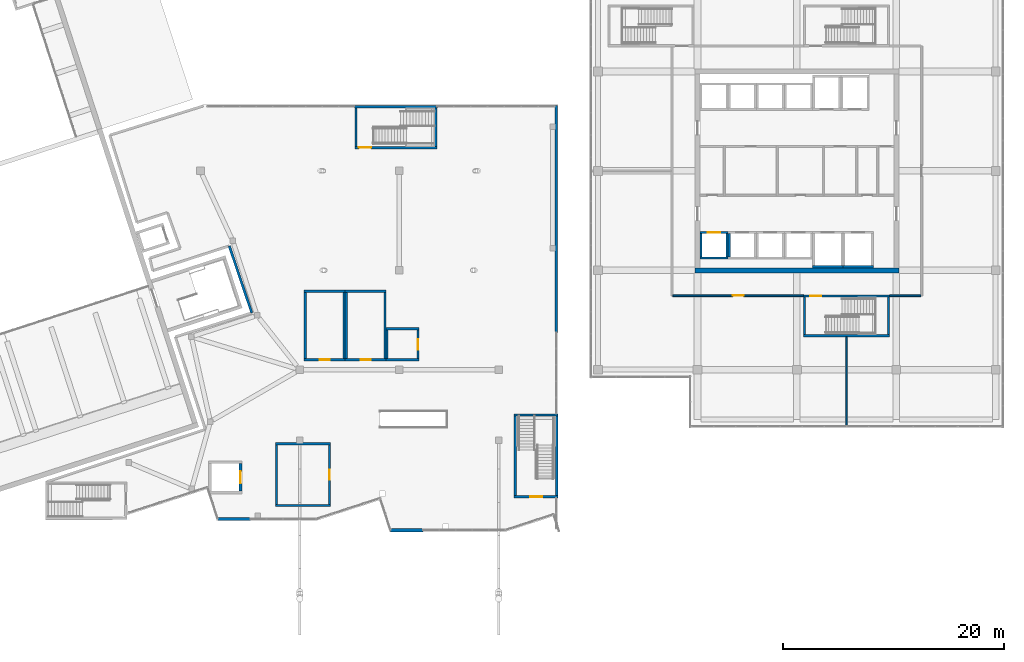
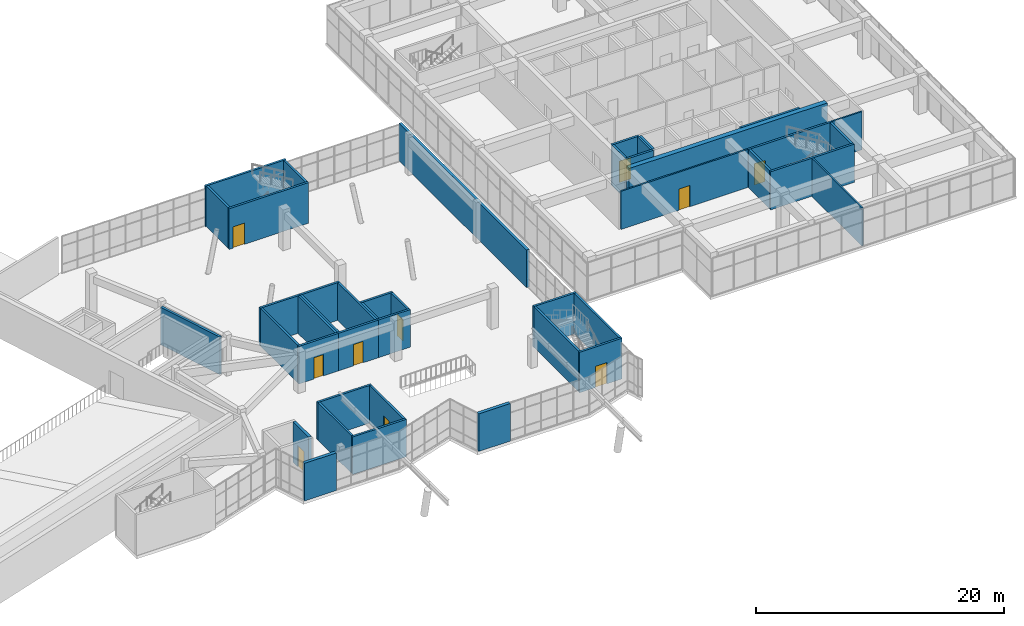
# One storey, part 56 of 65: 44 walls, 10 doors, 10 openings.
"""IFC4 building model written with IfcOpenShell, lengths in metres."""

from ifc_helpers import new_model, si_unit, direction, frame, frame_2d, origin, place, context, subcontext, project, spatial, rectangle, extrude, material, layer, layer_set, type_object, element, fill, save


model = new_model("IFC4")

# Units and contexts
model_context = context("Model", 3, precision=1e-05, world=origin(), true_north=direction((0.0, 1.0)))
body_context = subcontext(model_context, "Body", "Model", "MODEL_VIEW")
ifc_project = project(units=[si_unit("LENGTHUNIT", "METRE"), si_unit("AREAUNIT", "SQUARE_METRE"), si_unit("VOLUMEUNIT", "CUBIC_METRE"), si_unit("PLANEANGLEUNIT", "RADIAN"), si_unit("MASSUNIT", "GRAM", prefix="KILO")], contexts=[model_context])

# Site, building, storey
site_placement = place(None, origin())
site = spatial("IfcSite", under=ifc_project, at=site_placement, CompositionType="ELEMENT")
building_placement = place(site_placement, origin())
building = spatial("IfcBuilding", under=site, at=building_placement, Name="Tuart Plaza Theatre", CompositionType="ELEMENT")
storey_placement = place(building_placement, frame((0.0, 0.0, 9.5)))
storey = spatial("IfcBuildingStorey", under=building, at=storey_placement, Name="L02", CompositionType="ELEMENT", Elevation=9.5)

# Wall, opening, door
ifc_material_1 = material(Name="Masonry block", Category="masonry")
ifc_layer_1 = layer(ifc_material_1, 0.14990234375)
ifc_layer_set_1 = layer_set([ifc_layer_1], Name="PARTITION BLK150 MASONRYB FRL 120/-/-")
wall_type_1 = type_object("IfcWallType", Name="PARTITION BLK150 MASONRYB FRL 120/-/-", PredefinedType="PARTITIONING", material=ifc_layer_set_1)
wall_1_placement = place(storey_placement, frame((132.60009765625, 62.699951171875, 0.0), z_axis=(0.0, 0.0, 1.0), x_axis=(-1.0, 0.0, 0.0)))
wall_1 = element("IfcWall", 1, at=wall_1_placement, inside=storey, type_object=wall_type_1, Name="P600", PredefinedType="PARTITIONING", context=body_context, shape_type="SweptSolid", body=[
    extrude(rectangle(XDim=11.8251953125, YDim=0.14990234375, at=frame_2d((5.91259765625, 0.0))), origin(), (0.0, 0.0, 1.0), 3.75),
])
opening_1_placement = place(wall_1_placement, frame((5.427490234375, 0.0, 0.0)))
opening_1 = element("IfcOpeningElement", 2, at=opening_1_placement, cuts=wall_1, Name="Opening L02-059", PredefinedType="OPENING", context=body_context, shape_type="SweptSolid", body=[
    extrude(rectangle(XDim=1.0, YDim=2.10009765625, at=frame_2d((0.5, 1.050048828125))), frame((0.0, 0.0849609375, 0.0), z_axis=(0.0, -1.0, 0.0), x_axis=(1.0, 0.0, 0.0)), (0.0, 0.0, 1.0), 0.169921875),
])
ifc_material_2 = material(Name="Timber", Category="wood")
door_type_1 = type_object("IfcDoorType", Name="DOOR 1000x2100 timber single swing FRL -/60/30", OperationType="SINGLE_SWING_LEFT", PredefinedType="DOOR", material=ifc_material_2)
door_1_placement = place(opening_1_placement, origin())
door_1 = element("IfcDoor", 3, at=door_1_placement, inside=storey, type_object=door_type_1, Name="L02-059", OperationType="SINGLE_SWING_LEFT", OverallHeight=2.10009765625, OverallWidth=1.0, PredefinedType="DOOR", context=body_context, shape_type="SweptSolid", body=[
    extrude(rectangle(XDim=1.0, YDim=2.10009765625, at=frame_2d((0.5, 1.050048828125))), frame((0.0, 0.02490234375, 0.0), z_axis=(0.0, -1.0, 0.0), x_axis=(1.0, 0.0, 0.0)), (0.0, 0.0, 1.0), 0.050048828125),
])
fill(opening_1, door_1)

# Walls
wall_2_placement = place(storey_placement, frame((143.22509765625, 62.699951171875, 0.0), z_axis=(0.0, 0.0, 1.0), x_axis=(-1.0, 0.0, 0.0)))
element("IfcWall", 4, at=wall_2_placement, inside=storey, type_object=wall_type_1, Name="P601", PredefinedType="PARTITIONING", context=body_context, shape_type="SweptSolid", body=[
    extrude(rectangle(XDim=2.8251953125, YDim=0.14990234375, at=frame_2d((1.41259765625, 0.0))), origin(), (0.0, 0.0, 1.0), 3.75),
])
wall_3_placement = place(storey_placement, frame((136.5, 50.89990234375, 0.0), z_axis=(0.0, 0.0, 1.0), x_axis=(0.0, 1.0, 0.0)))
element("IfcWall", 5, at=wall_3_placement, inside=storey, type_object=wall_type_1, Name="P605", PredefinedType="PARTITIONING", context=body_context, shape_type="SweptSolid", body=[
    extrude(rectangle(XDim=8.0751953125, YDim=0.14990234375, at=frame_2d((4.03759765625, 0.0))), origin(), (0.0, 0.0, 1.0), 3.75),
])

# Wall, opening, door
ifc_material_3 = material(Name="Masonry", Category="masonry")
ifc_layer_2 = layer(ifc_material_3, 0.199951171875)
ifc_layer_set_2 = layer_set([ifc_layer_2], Name="PARTITION BLK200 FRL 120/-/-")
wall_type_2 = type_object("IfcWallType", Name="PARTITION BLK200 FRL 120/-/-", PredefinedType="PARTITIONING", material=ifc_layer_set_2)
wall_4_placement = place(storey_placement, frame((87.39990234375, 56.89990234375, 0.0), z_axis=(0.0, 0.0, 1.0), x_axis=(1.0, 0.0, 0.0)))
wall_4 = element("IfcWall", 6, at=wall_4_placement, inside=storey, type_object=wall_type_2, Name="P329", PredefinedType="PARTITIONING", context=body_context, shape_type="SweptSolid", body=[
    extrude(rectangle(XDim=3.7001953125, YDim=0.199951171875, at=frame_2d((1.85009765625, 0.0))), origin(), (0.0, 0.0, 1.0), 3.699951171875),
])
opening_2_placement = place(wall_4_placement, frame((1.39990234375, 0.0, 0.0)))
opening_2 = element("IfcOpeningElement", 7, at=opening_2_placement, cuts=wall_4, Name="Opening L02-031", PredefinedType="OPENING", context=body_context, shape_type="SweptSolid", body=[
    extrude(rectangle(XDim=0.89990234375, YDim=2.10009765625, at=frame_2d((0.449951171875, 1.050048828125))), frame((0.0, 0.10986328125, 0.0), z_axis=(0.0, -1.0, 0.0), x_axis=(1.0, 0.0, 0.0)), (0.0, 0.0, 1.0), 0.219970703125),
])
ifc_material_4 = material(Name="Timber", Category="wood")
door_type_2 = type_object("IfcDoorType", Name="DOOR 900x2100 timber single swing FRL -/60/30", OperationType="SINGLE_SWING_LEFT", PredefinedType="DOOR", material=ifc_material_4)
door_2_placement = place(opening_2_placement, origin())
door_2 = element("IfcDoor", 8, at=door_2_placement, inside=storey, type_object=door_type_2, Name="L02-031", OperationType="SINGLE_SWING_LEFT", OverallHeight=2.10009765625, OverallWidth=0.89990234375, PredefinedType="DOOR", context=body_context, shape_type="SweptSolid", body=[
    extrude(rectangle(XDim=0.89990234375, YDim=2.10009765625, at=frame_2d((0.449951171875, 1.050048828125))), frame((0.0, 0.02490234375, 0.0), z_axis=(0.0, -1.0, 0.0), x_axis=(1.0, 0.0, 0.0)), (0.0, 0.0, 1.0), 0.050048828125),
])
fill(opening_2, door_2)

# Walls
wall_5_placement = place(storey_placement, frame((91.0, 57.0, 0.0), z_axis=(0.0, 0.0, 1.0), x_axis=(0.0, 1.0, 0.0)))
element("IfcWall", 9, at=wall_5_placement, inside=storey, type_object=wall_type_2, Name="P330", PredefinedType="PARTITIONING", context=body_context, shape_type="SweptSolid", body=[
    extrude(rectangle(XDim=6.0, YDim=0.199951171875, at=frame_2d((3.0, 0.0))), origin(), (0.0, 0.0, 1.0), 3.699951171875),
])
wall_6_placement = place(storey_placement, frame((91.10009765625, 63.10009765625, 0.0), z_axis=(0.0, 0.0, 1.0), x_axis=(-1.0, 0.0, 0.0)))
element("IfcWall", 10, at=wall_6_placement, inside=storey, type_object=wall_type_2, Name="P331", PredefinedType="PARTITIONING", context=body_context, shape_type="SweptSolid", body=[
    extrude(rectangle(XDim=3.7001953125, YDim=0.199951171875, at=frame_2d((1.85009765625, 0.0))), origin(), (0.0, 0.0, 1.0), 3.699951171875),
])
wall_7_placement = place(storey_placement, frame((87.5, 63.0, 0.0), z_axis=(0.0, 0.0, 1.0), x_axis=(0.0, -1.0, 0.0)))
element("IfcWall", 11, at=wall_7_placement, inside=storey, type_object=wall_type_2, Name="P332", PredefinedType="PARTITIONING", context=body_context, shape_type="SweptSolid", body=[
    extrude(rectangle(XDim=6.0, YDim=0.199951171875, at=frame_2d((3.0, 0.0))), origin(), (0.0, 0.0, 1.0), 3.699951171875),
])

# Wall, opening, door
wall_8_placement = place(storey_placement, frame((91.10009765625, 56.89990234375, 0.0), z_axis=(0.0, 0.0, 1.0), x_axis=(1.0, 0.0, 0.0)))
wall_8 = element("IfcWall", 12, at=wall_8_placement, inside=storey, type_object=wall_type_2, Name="P333", PredefinedType="PARTITIONING", context=body_context, shape_type="SweptSolid", body=[
    extrude(rectangle(XDim=3.699951171875, YDim=0.199951171875, at=frame_2d((1.85009765625, 0.0))), origin(), (0.0, 0.0, 1.0), 3.699951171875),
])
opening_3_placement = place(wall_8_placement, frame((1.39990234375, 0.0, 0.0)))
opening_3 = element("IfcOpeningElement", 13, at=opening_3_placement, cuts=wall_8, Name="Opening L02-032", PredefinedType="OPENING", context=body_context, shape_type="SweptSolid", body=[
    extrude(rectangle(XDim=0.89990234375, YDim=2.10009765625, at=frame_2d((0.449951171875, 1.050048828125))), frame((0.0, 0.10986328125, 0.0), z_axis=(0.0, -1.0, 0.0), x_axis=(1.0, 0.0, 0.0)), (0.0, 0.0, 1.0), 0.219970703125),
])
door_3_placement = place(opening_3_placement, origin())
door_3 = element("IfcDoor", 14, at=door_3_placement, inside=storey, type_object=door_type_2, Name="L02-032", OperationType="SINGLE_SWING_RIGHT", OverallHeight=2.10009765625, OverallWidth=0.89990234375, PredefinedType="DOOR", context=body_context, shape_type="SweptSolid", body=[
    extrude(rectangle(XDim=0.89990234375, YDim=2.10009765625, at=frame_2d((0.449951171875, 1.050048828125))), frame((0.0, 0.02490234375, 0.0), z_axis=(0.0, -1.0, 0.0), x_axis=(1.0, 0.0, 0.0)), (0.0, 0.0, 1.0), 0.050048828125),
])
fill(opening_3, door_3)

# Walls
wall_9_placement = place(storey_placement, frame((94.699951171875, 57.0, 0.0), z_axis=(0.0, 0.0, 1.0), x_axis=(0.0, 1.0, 0.0)))
element("IfcWall", 15, at=wall_9_placement, inside=storey, type_object=wall_type_2, Name="P334", PredefinedType="PARTITIONING", context=body_context, shape_type="SweptSolid", body=[
    extrude(rectangle(XDim=6.0, YDim=0.199951171875, at=frame_2d((3.0, 0.0))), origin(), (0.0, 0.0, 1.0), 3.699951171875),
])
wall_10_placement = place(storey_placement, frame((94.800048828125, 63.10009765625, 0.0), z_axis=(0.0, 0.0, 1.0), x_axis=(-1.0, 0.0, 0.0)))
element("IfcWall", 16, at=wall_10_placement, inside=storey, type_object=wall_type_2, Name="P335", PredefinedType="PARTITIONING", context=body_context, shape_type="SweptSolid", body=[
    extrude(rectangle(XDim=3.699951171875, YDim=0.199951171875, at=frame_2d((1.85009765625, 0.0))), origin(), (0.0, 0.0, 1.0), 3.699951171875),
])
wall_11_placement = place(storey_placement, frame((91.199951171875, 63.0, 0.0), z_axis=(0.0, 0.0, 1.0), x_axis=(0.0, -1.0, 0.0)))
element("IfcWall", 17, at=wall_11_placement, inside=storey, type_object=wall_type_2, Name="P336", PredefinedType="PARTITIONING", context=body_context, shape_type="SweptSolid", body=[
    extrude(rectangle(XDim=6.0, YDim=0.199951171875, at=frame_2d((3.0, 0.0))), origin(), (0.0, 0.0, 1.0), 3.699951171875),
])
wall_12_placement = place(storey_placement, frame((94.800048828125, 56.89990234375, 0.0), z_axis=(0.0, 0.0, 1.0), x_axis=(1.0, 0.0, 0.0)))
element("IfcWall", 18, at=wall_12_placement, inside=storey, type_object=wall_type_2, Name="P337", PredefinedType="PARTITIONING", context=body_context, shape_type="SweptSolid", body=[
    extrude(rectangle(XDim=3.0, YDim=0.199951171875, at=frame_2d((1.5, 0.0))), origin(), (0.0, 0.0, 1.0), 3.699951171875),
])

# Wall, opening, door
wall_13_placement = place(storey_placement, frame((97.699951171875, 57.0, 0.0), z_axis=(0.0, 0.0, 1.0), x_axis=(0.0, 1.0, 0.0)))
wall_13 = element("IfcWall", 19, at=wall_13_placement, inside=storey, type_object=wall_type_2, Name="P338", PredefinedType="PARTITIONING", context=body_context, shape_type="SweptSolid", body=[
    extrude(rectangle(XDim=2.60009765625, YDim=0.199951171875, at=frame_2d((1.300048828125, 0.0))), origin(), (0.0, 0.0, 1.0), 3.699951171875),
])
opening_4_placement = place(wall_13_placement, frame((0.824951171875, 0.0, 0.0)))
opening_4 = element("IfcOpeningElement", 20, at=opening_4_placement, cuts=wall_13, Name="Opening L02-033", PredefinedType="OPENING", context=body_context, shape_type="SweptSolid", body=[
    extrude(rectangle(XDim=0.949951171875, YDim=2.10009765625, at=frame_2d((0.47509765625, 1.050048828125))), frame((0.0, 0.10986328125, 0.0), z_axis=(0.0, -1.0, 0.0), x_axis=(1.0, 0.0, 0.0)), (0.0, 0.0, 1.0), 0.219970703125),
])
ifc_material_5 = material(Name="Timber", Category="wood")
door_type_3 = type_object("IfcDoorType", Name="DOOR 950x2100 timber single swing FRL -/60/30", OperationType="SINGLE_SWING_LEFT", PredefinedType="DOOR", material=ifc_material_5)
door_4_placement = place(opening_4_placement, origin())
door_4 = element("IfcDoor", 21, at=door_4_placement, inside=storey, type_object=door_type_3, Name="L02-033", OperationType="SINGLE_SWING_LEFT", OverallHeight=2.10009765625, OverallWidth=0.949951171875, PredefinedType="DOOR", context=body_context, shape_type="SweptSolid", body=[
    extrude(rectangle(XDim=0.949951171875, YDim=2.10009765625, at=frame_2d((0.47509765625, 1.050048828125))), frame((0.0, 0.02490234375, 0.0), z_axis=(0.0, -1.0, 0.0), x_axis=(1.0, 0.0, 0.0)), (0.0, 0.0, 1.0), 0.050048828125),
])
fill(opening_4, door_4)

# Walls
wall_14_placement = place(storey_placement, frame((97.800048828125, 59.699951171875, 0.0), z_axis=(0.0, 0.0, 1.0), x_axis=(-1.0, 0.0, 0.0)))
element("IfcWall", 22, at=wall_14_placement, inside=storey, type_object=wall_type_2, Name="P339", PredefinedType="PARTITIONING", context=body_context, shape_type="SweptSolid", body=[
    extrude(rectangle(XDim=3.0, YDim=0.199951171875, at=frame_2d((1.5, 0.0))), origin(), (0.0, 0.0, 1.0), 3.699951171875),
])
wall_15_placement = place(storey_placement, frame((94.89990234375, 59.60009765625, 0.0), z_axis=(0.0, 0.0, 1.0), x_axis=(0.0, -1.0, 0.0)))
element("IfcWall", 23, at=wall_15_placement, inside=storey, type_object=wall_type_2, Name="P340", PredefinedType="PARTITIONING", context=body_context, shape_type="SweptSolid", body=[
    extrude(rectangle(XDim=2.60009765625, YDim=0.199951171875, at=frame_2d((1.300048828125, 0.0))), origin(), (0.0, 0.0, 1.0), 3.699951171875),
])
wall_16_placement = place(storey_placement, frame((84.800048828125, 43.699951171875, 0.0), z_axis=(0.0, 0.0, 1.0), x_axis=(1.0, 0.0, 0.0)))
element("IfcWall", 24, at=wall_16_placement, inside=storey, type_object=wall_type_2, Name="P341", PredefinedType="PARTITIONING", context=body_context, shape_type="SweptSolid", body=[
    extrude(rectangle(XDim=5.0, YDim=0.199951171875, at=frame_2d((2.5, 0.0))), origin(), (0.0, 0.0, 1.0), 3.699951171875),
])

# Wall, opening, door
wall_17_placement = place(storey_placement, frame((89.699951171875, 43.800048828125, 0.0), z_axis=(0.0, 0.0, 1.0), x_axis=(0.0, 1.0, 0.0)))
wall_17 = element("IfcWall", 25, at=wall_17_placement, inside=storey, type_object=wall_type_2, Name="P342", PredefinedType="PARTITIONING", context=body_context, shape_type="SweptSolid", body=[
    extrude(rectangle(XDim=5.39990234375, YDim=0.199951171875, at=frame_2d((2.699951171875, 0.0))), origin(), (0.0, 0.0, 1.0), 3.699951171875),
])
opening_5_placement = place(wall_17_placement, frame((2.25, 0.0, 0.0)))
opening_5 = element("IfcOpeningElement", 26, at=opening_5_placement, cuts=wall_17, Name="Opening L02-034", PredefinedType="OPENING", context=body_context, shape_type="SweptSolid", body=[
    extrude(rectangle(XDim=0.89990234375, YDim=2.10009765625, at=frame_2d((0.449951171875, 1.050048828125))), frame((0.0, 0.10986328125, 0.0), z_axis=(0.0, -1.0, 0.0), x_axis=(1.0, 0.0, 0.0)), (0.0, 0.0, 1.0), 0.219970703125),
])
door_5_placement = place(opening_5_placement, frame((0.89990234375, 0.0, 0.0), z_axis=(0.0, 0.0, 1.0), x_axis=(-1.0, 0.0, 0.0)))
door_5 = element("IfcDoor", 27, at=door_5_placement, inside=storey, type_object=door_type_2, Name="L02-034", OperationType="SINGLE_SWING_LEFT", OverallHeight=2.10009765625, OverallWidth=0.89990234375, PredefinedType="DOOR", context=body_context, shape_type="SweptSolid", body=[
    extrude(rectangle(XDim=0.89990234375, YDim=2.10009765625, at=frame_2d((0.449951171875, 1.050048828125))), frame((0.0, 0.02490234375, 0.0), z_axis=(0.0, -1.0, 0.0), x_axis=(1.0, 0.0, 0.0)), (0.0, 0.0, 1.0), 0.050048828125),
])
fill(opening_5, door_5)

# Walls
wall_18_placement = place(storey_placement, frame((89.800048828125, 49.300048828125, 0.0), z_axis=(0.0, 0.0, 1.0), x_axis=(-1.0, 0.0, 0.0)))
element("IfcWall", 28, at=wall_18_placement, inside=storey, type_object=wall_type_2, Name="P343", PredefinedType="PARTITIONING", context=body_context, shape_type="SweptSolid", body=[
    extrude(rectangle(XDim=5.0, YDim=0.199951171875, at=frame_2d((2.5, 0.0))), origin(), (0.0, 0.0, 1.0), 3.699951171875),
])
wall_19_placement = place(storey_placement, frame((84.89990234375, 49.199951171875, 0.0), z_axis=(0.0, 0.0, 1.0), x_axis=(0.0, -1.0, 0.0)))
element("IfcWall", 29, at=wall_19_placement, inside=storey, type_object=wall_type_2, Name="P344", PredefinedType="PARTITIONING", context=body_context, shape_type="SweptSolid", body=[
    extrude(rectangle(XDim=5.39990234375, YDim=0.199951171875, at=frame_2d((2.699951171875, 0.0))), origin(), (0.0, 0.0, 1.0), 3.699951171875),
])

# Wall, opening, door
ifc_material_6 = material(Name="Concrete N40 (40 MPa)", Category="concrete")
ifc_layer_3 = layer(ifc_material_6, 0.199951171875)
ifc_layer_set_3 = layer_set([ifc_layer_3], Name="SHEAR WALL RC200 FRL 120/120/120")
wall_type_3 = type_object("IfcWallType", Name="SHEAR WALL RC200 FRL 120/120/120", PredefinedType="SHEAR", material=ifc_layer_set_3)
wall_20_placement = place(storey_placement, frame((92.0, 76.10009765625, 0.0), z_axis=(0.0, 0.0, 1.0), x_axis=(1.0, 0.0, 0.0)))
wall_20 = element("IfcWall", 30, at=wall_20_placement, inside=storey, type_object=wall_type_3, Name="W254", PredefinedType="SHEAR", context=body_context, shape_type="SweptSolid", body=[
    extrude(rectangle(XDim=7.39990234375, YDim=0.199951171875, at=frame_2d((3.699951171875, 0.0))), origin(), (0.0, 0.0, 1.0), 4.0),
])
opening_6_placement = place(wall_20_placement, frame((0.35009765625, 0.0, 0.0)))
opening_6 = element("IfcOpeningElement", 31, at=opening_6_placement, cuts=wall_20, Name="Opening L02-036", PredefinedType="OPENING", context=body_context, shape_type="SweptSolid", body=[
    extrude(rectangle(XDim=1.10009765625, YDim=2.10009765625, at=frame_2d((0.550048828125, 1.050048828125))), frame((0.0, 0.10986328125, 0.0), z_axis=(0.0, -1.0, 0.0), x_axis=(1.0, 0.0, 0.0)), (0.0, 0.0, 1.0), 0.219970703125),
])
ifc_material_7 = material(Name="Steel Grade 300", Category="steel")
door_type_4 = type_object("IfcDoorType", Name="DOOR 1100x2100 steel single swing FRL -/120/30", OperationType="SINGLE_SWING_LEFT", PredefinedType="DOOR", material=ifc_material_7)
door_6_placement = place(opening_6_placement, origin())
door_6 = element("IfcDoor", 32, at=door_6_placement, inside=storey, type_object=door_type_4, Name="L02-036", OperationType="SINGLE_SWING_RIGHT", OverallHeight=2.10009765625, OverallWidth=1.10009765625, PredefinedType="DOOR", context=body_context, shape_type="SweptSolid", body=[
    extrude(rectangle(XDim=1.10009765625, YDim=2.10009765625, at=frame_2d((0.550048828125, 1.050048828125))), frame((0.0, 0.02490234375, 0.0), z_axis=(0.0, -1.0, 0.0), x_axis=(1.0, 0.0, 0.0)), (0.0, 0.0, 1.0), 0.050048828125),
])
fill(opening_6, door_6)

# Walls
for number, where, z_axis, x_axis, name in (
    (33, (92.10009765625, 79.699951171875, 0.0), (0.0, 0.0, 1.0), (0.0, -1.0, 0.0), "W256"),
    (34, (99.300048828125, 76.199951171875, 0.0), (0.0, 0.0, 1.0), (0.0, 1.0, 0.0), "W257"),
):
    element("IfcWall", number, at=place(storey_placement, frame(where, z_axis=z_axis, x_axis=x_axis)), inside=storey, type_object=wall_type_3, Name=name, PredefinedType="SHEAR", context=body_context, shape_type="SweptSolid", body=[
        extrude(rectangle(XDim=3.5, YDim=0.199951171875, at=frame_2d((1.75, 0.0))), origin(), (0.0, 0.0, 1.0), 4.0),
    ])

# Wall, opening, door
wall_21_placement = place(storey_placement, frame((106.39990234375, 44.5, 0.0), z_axis=(0.0, 0.0, 1.0), x_axis=(1.0, 0.0, 0.0)))
wall_21 = element("IfcWall", 35, at=wall_21_placement, inside=storey, type_object=wall_type_3, Name="W247", PredefinedType="SHEAR", context=body_context, shape_type="SweptSolid", body=[
    extrude(rectangle(XDim=3.960205078125, YDim=0.199951171875, at=frame_2d((1.97998046875, 0.0))), origin(), (0.0, 0.0, 1.0), 4.0),
])
opening_7_placement = place(wall_21_placement, frame((1.449951171875, 0.0, 0.0)))
opening_7 = element("IfcOpeningElement", 36, at=opening_7_placement, cuts=wall_21, Name="Opening L02-037", PredefinedType="OPENING", context=body_context, shape_type="SweptSolid", body=[
    extrude(rectangle(XDim=1.10009765625, YDim=2.10009765625, at=frame_2d((0.550048828125, 1.050048828125))), frame((0.0, 0.10986328125, 0.0), z_axis=(0.0, -1.0, 0.0), x_axis=(1.0, 0.0, 0.0)), (0.0, 0.0, 1.0), 0.219970703125),
])
door_7_placement = place(opening_7_placement, origin())
door_7 = element("IfcDoor", 37, at=door_7_placement, inside=storey, type_object=door_type_4, Name="L02-037", OperationType="SINGLE_SWING_LEFT", OverallHeight=2.10009765625, OverallWidth=1.10009765625, PredefinedType="DOOR", context=body_context, shape_type="SweptSolid", body=[
    extrude(rectangle(XDim=1.10009765625, YDim=2.10009765625, at=frame_2d((0.550048828125, 1.050048828125))), frame((0.0, 0.02490234375, 0.0), z_axis=(0.0, -1.0, 0.0), x_axis=(1.0, 0.0, 0.0)), (0.0, 0.0, 1.0), 0.050048828125),
])
fill(opening_7, door_7)

# Walls
wall_22_placement = place(storey_placement, frame((110.360107421875, 51.89990234375, 0.0), z_axis=(0.0, 0.0, 1.0), x_axis=(-1.0, 0.0, 0.0)))
element("IfcWall", 38, at=wall_22_placement, inside=storey, type_object=wall_type_3, Name="W248", PredefinedType="SHEAR", context=body_context, shape_type="SweptSolid", body=[
    extrude(rectangle(XDim=3.960205078125, YDim=0.199951171875, at=frame_2d((1.97998046875, 0.0))), origin(), (0.0, 0.0, 1.0), 4.0),
])
wall_23_placement = place(storey_placement, frame((106.5, 51.800048828125, 0.0), z_axis=(0.0, 0.0, 1.0), x_axis=(0.0, -1.0, 0.0)))
element("IfcWall", 39, at=wall_23_placement, inside=storey, type_object=wall_type_3, Name="W249", PredefinedType="SHEAR", context=body_context, shape_type="SweptSolid", body=[
    extrude(rectangle(XDim=7.199951171875, YDim=0.199951171875, at=frame_2d((3.60009765625, 0.0))), origin(), (0.0, 0.0, 1.0), 4.0),
])
wall_24_placement = place(storey_placement, frame((123.22509765625, 66.125, 0.0), z_axis=(0.0, 0.0, 1.0), x_axis=(1.0, 0.0, 0.0)))
element("IfcWall", 40, at=wall_24_placement, inside=storey, type_object=wall_type_3, Name="W558", PredefinedType="SHEAR", context=body_context, shape_type="SweptSolid", body=[
    extrude(rectangle(XDim=2.5498046875, YDim=0.199951171875, at=frame_2d((1.27490234375, 0.0))), origin(), (0.0, 0.0, 1.0), 4.0),
])
wall_25_placement = place(storey_placement, frame((125.675048828125, 66.22509765625, 0.0), z_axis=(0.0, 0.0, 1.0), x_axis=(0.0, 1.0, 0.0)))
element("IfcWall", 41, at=wall_25_placement, inside=storey, type_object=wall_type_3, Name="W559", PredefinedType="SHEAR", context=body_context, shape_type="SweptSolid", body=[
    extrude(rectangle(XDim=2.099853515625, YDim=0.199951171875, at=frame_2d((1.0498046875, 0.0))), origin(), (0.0, 0.0, 1.0), 4.0),
])

# Wall, opening, door
wall_26_placement = place(storey_placement, frame((125.77490234375, 68.425048828125, 0.0), z_axis=(0.0, 0.0, 1.0), x_axis=(-1.0, 0.0, 0.0)))
wall_26 = element("IfcWall", 42, at=wall_26_placement, inside=storey, type_object=wall_type_3, Name="W560", PredefinedType="SHEAR", context=body_context, shape_type="SweptSolid", body=[
    extrude(rectangle(XDim=2.5498046875, YDim=0.199951171875, at=frame_2d((1.27490234375, 0.0))), origin(), (0.0, 0.0, 1.0), 4.0),
])
opening_8_placement = place(wall_26_placement, frame((0.72509765625, 0.0, 0.0)))
opening_8 = element("IfcOpeningElement", 43, at=opening_8_placement, cuts=wall_26, Name="Opening L02-038", PredefinedType="OPENING", context=body_context, shape_type="SweptSolid", body=[
    extrude(rectangle(XDim=1.10009765625, YDim=2.10009765625, at=frame_2d((0.550048828125, 1.050048828125))), frame((0.0, 0.10986328125, 0.0), z_axis=(0.0, -1.0, 0.0), x_axis=(1.0, 0.0, 0.0)), (0.0, 0.0, 1.0), 0.219970703125),
])
ifc_material_8 = material(Name="Steel Grade 300", Category="steel")
door_type_5 = type_object("IfcDoorType", Name="LANDING DOOR 1100x2100 steel sliding FRL -/120/30", OperationType="SLIDING_TO_LEFT", PredefinedType="DOOR", material=ifc_material_8)
door_8_placement = place(opening_8_placement, origin())
door_8 = element("IfcDoor", 44, at=door_8_placement, inside=storey, type_object=door_type_5, Name="L02-038", OperationType="SLIDING_TO_LEFT", OverallHeight=2.10009765625, OverallWidth=1.10009765625, PredefinedType="DOOR", context=body_context, shape_type="SweptSolid", body=[
    extrude(rectangle(XDim=1.10009765625, YDim=2.10009765625, at=frame_2d((0.550048828125, 1.050048828125))), frame((0.0, 0.02490234375, 0.0), z_axis=(0.0, -1.0, 0.0), x_axis=(1.0, 0.0, 0.0)), (0.0, 0.0, 1.0), 0.050048828125),
])
fill(opening_8, door_8)

# Walls
for number, where, z_axis, x_axis, name in (
    (45, (123.324951171875, 68.324951171875, 0.0), (0.0, 0.0, 1.0), (0.0, -1.0, 0.0), "W561"),
    (46, (125.875, 68.324951171875, 0.0), (0.0, 0.0, 1.0), (0.0, -1.0, 0.0), "W605"),
):
    element("IfcWall", number, at=place(storey_placement, frame(where, z_axis=z_axis, x_axis=x_axis)), inside=storey, type_object=wall_type_3, Name=name, PredefinedType="SHEAR", context=body_context, shape_type="SweptSolid", body=[
        extrude(rectangle(XDim=2.099853515625, YDim=0.199951171875, at=frame_2d((1.0498046875, 0.0))), origin(), (0.0, 0.0, 1.0), 4.0),
    ])
for number, where, z_axis, x_axis, name in (
    (47, (133.425048828125, 65.324951171875, 0.0), (0.0, 0.0, 1.0), (1.0, 0.0, 0.0), "W1022"),
    (48, (136.175048828125, 65.324951171875, 0.0), (0.0, 0.0, 1.0), (1.0, 0.0, 0.0), "W1098"),
):
    element("IfcWall", number, at=place(storey_placement, frame(where, z_axis=z_axis, x_axis=x_axis)), inside=storey, type_object=wall_type_3, Name=name, PredefinedType="SHEAR", context=body_context, shape_type="SweptSolid", body=[
        extrude(rectangle(XDim=2.75, YDim=0.199951171875, at=frame_2d((1.375, 0.0))), origin(), (0.0, 0.0, 1.0), 4.0),
    ])
wall_27_placement = place(storey_placement, frame((132.60009765625, 59.074951171875, 0.0), z_axis=(0.0, 0.0, 1.0), x_axis=(1.0, 0.0, 0.0)))
element("IfcWall", 49, at=wall_27_placement, inside=storey, type_object=wall_type_3, Name="P396", PredefinedType="SHEAR", context=body_context, shape_type="SweptSolid", body=[
    extrude(rectangle(XDim=7.7998046875, YDim=0.199951171875, at=frame_2d((3.89990234375, 0.0))), origin(), (0.0, 0.0, 1.0), 3.75),
])
wall_28_placement = place(storey_placement, frame((140.300048828125, 59.175048828125, 0.0), z_axis=(0.0, 0.0, 1.0), x_axis=(0.0, 1.0, 0.0)))
element("IfcWall", 50, at=wall_28_placement, inside=storey, type_object=wall_type_3, Name="P397", PredefinedType="SHEAR", context=body_context, shape_type="SweptSolid", body=[
    extrude(rectangle(XDim=3.39990234375, YDim=0.199951171875, at=frame_2d((1.699951171875, 0.0))), origin(), (0.0, 0.0, 1.0), 3.75),
])

# Wall, opening, door
wall_29_placement = place(storey_placement, frame((140.39990234375, 62.675048828125, 0.0), z_axis=(0.0, 0.0, 1.0), x_axis=(-1.0, 0.0, 0.0)))
wall_29 = element("IfcWall", 51, at=wall_29_placement, inside=storey, type_object=wall_type_3, Name="P398", PredefinedType="SHEAR", context=body_context, shape_type="SweptSolid", body=[
    extrude(rectangle(XDim=7.7998046875, YDim=0.199951171875, at=frame_2d((3.89990234375, 0.0))), origin(), (0.0, 0.0, 1.0), 3.75),
])
opening_9_placement = place(wall_29_placement, frame((6.199951171875, 0.0, 0.0)))
opening_9 = element("IfcOpeningElement", 52, at=opening_9_placement, cuts=wall_29, Name="Opening L02-046", PredefinedType="OPENING", context=body_context, shape_type="SweptSolid", body=[
    extrude(rectangle(XDim=1.0, YDim=2.10009765625, at=frame_2d((0.5, 1.050048828125))), frame((0.0, 0.10986328125, 0.0), z_axis=(0.0, -1.0, 0.0), x_axis=(1.0, 0.0, 0.0)), (0.0, 0.0, 1.0), 0.219970703125),
])
ifc_material_9 = material(Name="Steel Grade 300", Category="steel")
door_type_6 = type_object("IfcDoorType", Name="DOOR 1000x2100 steel single swing FRL -/120/30", OperationType="SINGLE_SWING_LEFT", PredefinedType="DOOR", material=ifc_material_9)
door_9_placement = place(opening_9_placement, origin())
door_9 = element("IfcDoor", 53, at=door_9_placement, inside=storey, type_object=door_type_6, Name="L02-046", OperationType="SINGLE_SWING_LEFT", OverallHeight=2.10009765625, OverallWidth=1.0, PredefinedType="DOOR", context=body_context, shape_type="SweptSolid", body=[
    extrude(rectangle(XDim=1.0, YDim=2.10009765625, at=frame_2d((0.5, 1.050048828125))), frame((0.0, 0.02490234375, 0.0), z_axis=(0.0, -1.0, 0.0), x_axis=(1.0, 0.0, 0.0)), (0.0, 0.0, 1.0), 0.050048828125),
])
fill(opening_9, door_9)

# Walls
wall_30_placement = place(storey_placement, frame((132.699951171875, 62.574951171875, 0.0), z_axis=(0.0, 0.0, 1.0), x_axis=(0.0, -1.0, 0.0)))
element("IfcWall", 54, at=wall_30_placement, inside=storey, type_object=wall_type_3, Name="P399", PredefinedType="SHEAR", context=body_context, shape_type="SweptSolid", body=[
    extrude(rectangle(XDim=3.39990234375, YDim=0.199951171875, at=frame_2d((1.699951171875, 0.0))), origin(), (0.0, 0.0, 1.0), 3.75),
])
ifc_material_10 = material(Name="Concrete N40 (40 MPa)", Category="concrete")
ifc_layer_4 = layer(ifc_material_10, 0.199951171875)
ifc_layer_set_4 = layer_set([ifc_layer_4], Name="SHEAR WALL RC200 FRL 120/120/120 EXT")
wall_type_4 = type_object("IfcWallType", Name="SHEAR WALL RC200 FRL 120/120/120 EXT", PredefinedType="SHEAR", material=ifc_layer_set_4)
wall_31_placement = place(storey_placement, frame((99.449951171875, 79.800048828125, 0.0), z_axis=(0.0, 0.0, 1.0), x_axis=(-1.0, 0.0, 0.0)))
element("IfcWall", 55, at=wall_31_placement, inside=storey, type_object=wall_type_4, Name="W255", PredefinedType="SHEAR", context=body_context, shape_type="SweptSolid", body=[
    extrude(rectangle(XDim=7.5, YDim=0.199951171875, at=frame_2d((3.75, 0.0))), origin(), (0.0, 0.0, 1.0), 4.0),
])
wall_32_placement = place(storey_placement, frame((110.260009765625, 44.60009765625, 0.0), z_axis=(0.0, 0.0, 1.0), x_axis=(0.0, 1.0, 0.0)))
element("IfcWall", 56, at=wall_32_placement, inside=storey, type_object=wall_type_4, Name="W258", PredefinedType="SHEAR", context=body_context, shape_type="SweptSolid", body=[
    extrude(rectangle(XDim=7.199951171875, YDim=0.199951171875, at=frame_2d((3.60009765625, 0.0))), origin(), (0.0, 0.0, 1.0), 4.0),
])

# Wall, opening, door
ifc_material_11 = material(Name="Concrete N40 (40 MPa)", Category="concrete")
ifc_layer_5 = layer(ifc_material_11, 0.25)
ifc_layer_set_5 = layer_set([ifc_layer_5], Name="SHEAR WALL RC250 FRL 120/120/120")
wall_type_5 = type_object("IfcWallType", Name="SHEAR WALL RC250 FRL 120/120/120", PredefinedType="SHEAR", material=ifc_layer_set_5)
wall_33_placement = place(storey_placement, frame((81.625, 45.0, 0.0), z_axis=(0.0, 0.0, 1.0), x_axis=(0.0, 1.0, 0.0)))
wall_33 = element("IfcWall", 57, at=wall_33_placement, inside=storey, type_object=wall_type_5, Name="W284", PredefinedType="SHEAR", context=body_context, shape_type="SweptSolid", body=[
    extrude(rectangle(XDim=2.5, YDim=0.25, at=frame_2d((1.25, 0.0))), origin(), (0.0, 0.0, 1.0), 4.0),
])
opening_10_placement = place(wall_33_placement, frame((0.699951171875, 0.0, 0.0)))
opening_10 = element("IfcOpeningElement", 58, at=opening_10_placement, cuts=wall_33, Name="Opening L02-004", PredefinedType="OPENING", context=body_context, shape_type="SweptSolid", body=[
    extrude(rectangle(XDim=1.10009765625, YDim=2.10009765625, at=frame_2d((0.550048828125, 1.050048828125))), frame((0.0, 0.135009765625, 0.0), z_axis=(0.0, -1.0, 0.0), x_axis=(1.0, 0.0, 0.0)), (0.0, 0.0, 1.0), 0.27001953125),
])
door_10_placement = place(opening_10_placement, origin())
door_10 = element("IfcDoor", 59, at=door_10_placement, inside=storey, type_object=door_type_5, Name="L02-004", OperationType="SLIDING_TO_LEFT", OverallHeight=2.10009765625, OverallWidth=1.10009765625, PredefinedType="DOOR", context=body_context, shape_type="SweptSolid", body=[
    extrude(rectangle(XDim=1.10009765625, YDim=2.10009765625, at=frame_2d((0.550048828125, 1.050048828125))), frame((0.0, 0.02490234375, 0.0), z_axis=(0.0, -1.0, 0.0), x_axis=(1.0, 0.0, 0.0)), (0.0, 0.0, 1.0), 0.050048828125),
])
fill(opening_10, door_10)

# Walls
ifc_material_12 = material(Name="Concrete N50 (50 MPa)", Category="concrete")
ifc_layer_6 = layer(ifc_material_12, 0.449951171875)
ifc_layer_set_6 = layer_set([ifc_layer_6], Name="SHEAR WALL RC450 N50 FRL 120/120/120")
wall_type_6 = type_object("IfcWallType", Name="SHEAR WALL RC450 N50 FRL 120/120/120", PredefinedType="SHEAR", material=ifc_layer_set_6)
wall_34_placement = place(storey_placement, frame((122.77490234375, 65.0, 0.0), z_axis=(0.0, 0.0, 1.0), x_axis=(1.0, 0.0, 0.0)))
element("IfcWall", 60, at=wall_34_placement, inside=storey, type_object=wall_type_6, Name="W363", PredefinedType="SHEAR", context=body_context, shape_type="SweptSolid", body=[
    extrude(rectangle(XDim=18.4501953125, YDim=0.449951171875, at=frame_2d((9.22509765625, 0.0))), origin(), (0.0, 0.0, 1.0), 4.0),
])
ifc_material_13 = material(Name="Concrete N40 (40 MPa)", Category="concrete")
ifc_layer_7 = layer(ifc_material_13, 0.219970703125)
ifc_layer_set_7 = layer_set([ifc_layer_7], Name="WALL RC220 FRL 120/120/120")
wall_type_7 = type_object("IfcWallType", Name="WALL RC220 FRL 120/120/120", PredefinedType="SOLIDWALL", material=ifc_layer_set_7)
wall_35_placement = place(storey_placement, frame((82.649169921875, 61.156005859375, 0.0), z_axis=(0.0, 0.0, 1.0), x_axis=(-0.319548146605, 0.947570040684, 0.0)))
element("IfcWall", 61, at=wall_35_placement, inside=storey, type_object=wall_type_7, Name="P42", PredefinedType="SOLIDWALL", context=body_context, shape_type="SweptSolid", body=[
    extrude(rectangle(XDim=6.37109375, YDim=0.219970703125, at=frame_2d((3.185546875, 0.0))), origin(), (0.0, 0.0, 1.0), 3.699951171875),
])
ifc_material_14 = material(Name="Concrete N40 (40 MPa)", Category="concrete")
ifc_layer_8 = layer(ifc_material_14, 0.25)
ifc_layer_set_8 = layer_set([ifc_layer_8], Name="WALL RC250 FRL 120/120/120 EXT")
wall_type_8 = type_object("IfcWallType", Name="WALL RC250 FRL 120/120/120 EXT", PredefinedType="SOLIDWALL", material=ifc_layer_set_8)
wall_36_placement = place(storey_placement, frame((110.212890625, 59.35009765625, 0.0), z_axis=(0.0, 0.0, 1.0), x_axis=(0.0, 1.0, 0.0)))
element("IfcWall", 62, at=wall_36_placement, inside=storey, type_object=wall_type_8, Name="P38", PredefinedType="SOLIDWALL", context=body_context, shape_type="SweptSolid", body=[
    extrude(rectangle(XDim=20.5869140625, YDim=0.25, at=frame_2d((10.29345703125, 0.0))), origin(), (0.0, 0.0, 1.0), 3.699951171875),
])
ifc_material_15 = material(Name="Concrete N40 (40 MPa)", Category="concrete")
ifc_layer_9 = layer(ifc_material_15, 0.300048828125)
ifc_layer_set_9 = layer_set([ifc_layer_9], Name="WALL RC300 EXT")
wall_type_9 = type_object("IfcWallType", Name="WALL RC300 EXT", PredefinedType="SOLIDWALL", material=ifc_layer_set_9)
wall_37_placement = place(storey_placement, frame((79.595947265625, 42.47802734375, 0.0), z_axis=(0.0, 0.0, 1.0), x_axis=(1.0, 0.0, 0.0)))
element("IfcWall", 63, at=wall_37_placement, inside=storey, type_object=wall_type_9, Name="P36", PredefinedType="SOLIDWALL", context=body_context, shape_type="SweptSolid", body=[
    extrude(rectangle(XDim=2.941162109375, YDim=0.300048828125, at=frame_2d((1.470703125, 0.0))), origin(), (0.0, 0.0, 1.0), 3.699951171875),
])
wall_38_placement = place(storey_placement, frame((95.22900390625, 41.47900390625, 0.0), z_axis=(0.0, 0.0, 1.0), x_axis=(1.0, 0.0, 0.0)))
element("IfcWall", 64, at=wall_38_placement, inside=storey, type_object=wall_type_9, Name="P37", PredefinedType="SOLIDWALL", context=body_context, shape_type="SweptSolid", body=[
    extrude(rectangle(XDim=2.94091796875, YDim=0.300048828125, at=frame_2d((1.470458984375, 0.0))), origin(), (0.0, 0.0, 1.0), 3.699951171875),
])

save(model, "model.ifc")
